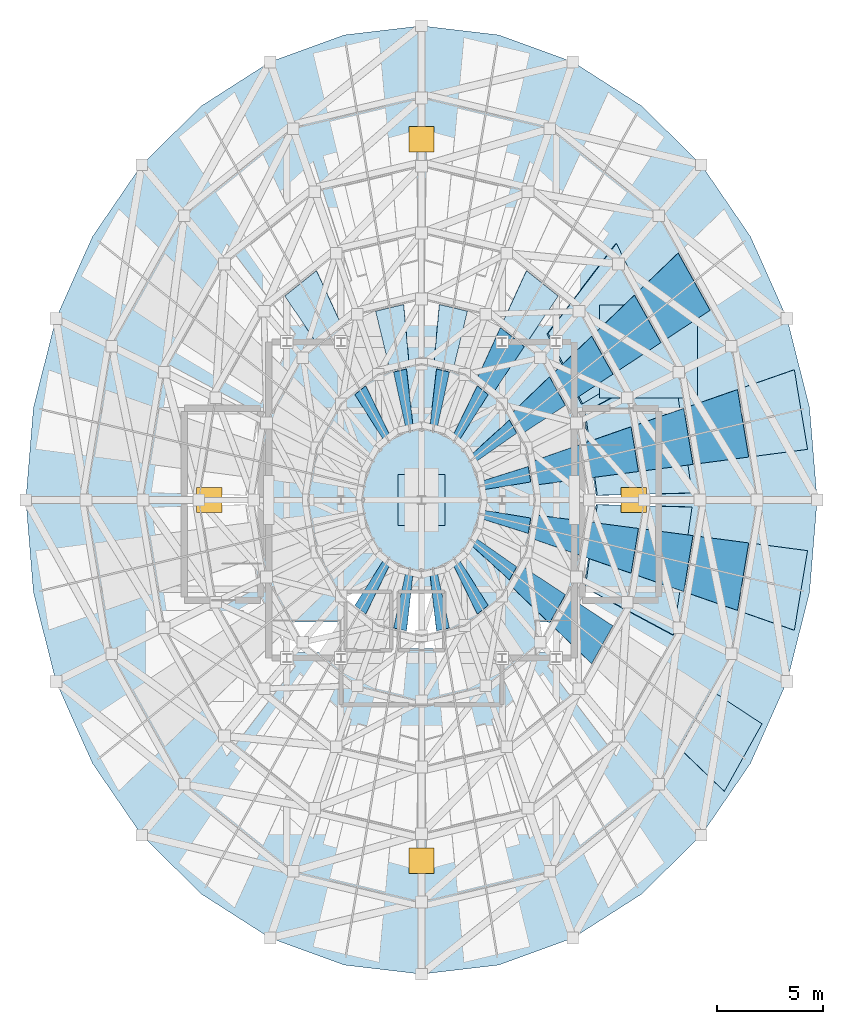
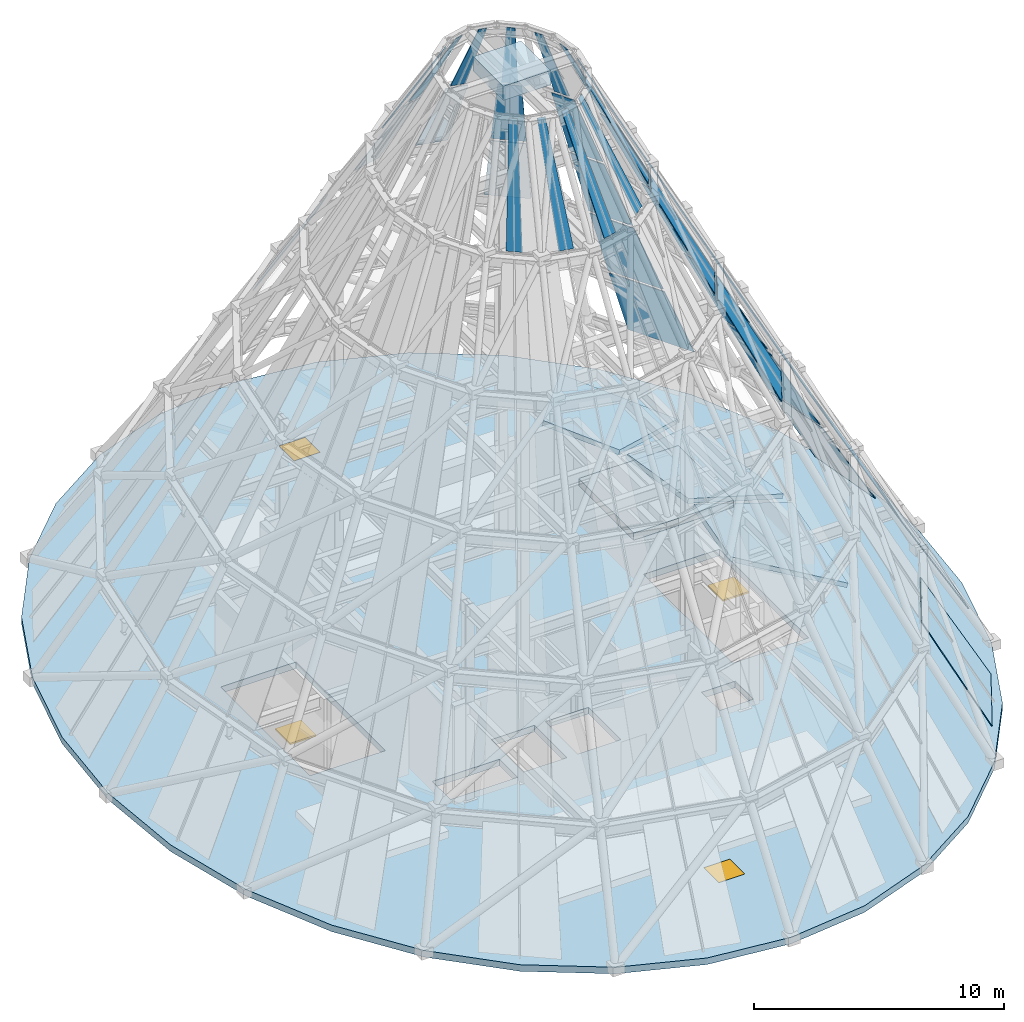
# One storey, part 12 of 16: 35 plates, 5 slabs, 4 windows, 4 openings, 6 elements without a shape of their own.
"""IFC4 building model written with IfcOpenShell, lengths in metres."""

from ifc_helpers import new_model, si_unit, direction, frame, origin, origin_2d, place, context, subcontext, project, spatial, polyline, rectangle, outline, extrude, material, layer, layer_set, type_object, element, fill, aggregate, save


model = new_model("IFC4")

# Units and contexts
model_context = context("Model", 3, precision=1e-05, world=origin(), true_north=direction((0.0, 1.0)))
body_context = subcontext(model_context, "Body", "Model", "MODEL_VIEW")
ifc_project = project(units=[si_unit("LENGTHUNIT", "METRE"), si_unit("AREAUNIT", "SQUARE_METRE"), si_unit("VOLUMEUNIT", "CUBIC_METRE"), si_unit("PLANEANGLEUNIT", "RADIAN"), si_unit("MASSUNIT", "GRAM", prefix="KILO")], contexts=[model_context])

# Site, building, storey
site_placement = place(None, origin())
site = spatial("IfcSite", under=ifc_project, at=site_placement, CompositionType="ELEMENT")
building_placement = place(site_placement, origin())
building = spatial("IfcBuilding", under=site, at=building_placement, Name="Veldorina Hangang Commons", CompositionType="ELEMENT")
storey_placement = place(building_placement, frame((0.0, 0.0, 308.39990234375)))
storey = spatial("IfcBuildingStorey", under=building, at=storey_placement, Name="Crown", CompositionType="ELEMENT", Elevation=308.39990234375)

# Curtain wall, plates
ifc_material_1 = material(Name="Glass Low-Iron Laminated", Category="glass")
ifc_layer_1 = layer(ifc_material_1, 0.179931640625)
ifc_layer_set_1 = layer_set([ifc_layer_1], Name="Glass Low-Iron Laminated")
curtain_wall_type = type_object("IfcCurtainWallType", Name="CW-SYS-CRN", PredefinedType="NOTDEFINED", material=ifc_layer_set_1)
curtain_wall_1_placement = place(storey_placement, origin())
curtain_wall_1 = element("IfcCurtainWall", 1, at=curtain_wall_1_placement, inside=storey, type_object=curtain_wall_type, Name="Crown glass-point sloped pyramidal curtain wall tier 1", PredefinedType="NOTDEFINED")
ifc_layer_2 = layer(ifc_material_1, 0.035888671875)
ifc_layer_set_2 = layer_set([ifc_layer_2], Name="Glass Low-Iron Laminated")
plate_type_1 = type_object("IfcPlateType", Name="CW-PNL-CRN", PredefinedType="CURTAIN_PANEL", material=ifc_layer_set_2)
plate_1_placement = place(storey_placement, frame((50.197021484375, 26.3876953125, 0.09619140625), z_axis=(0.852111766487, 0.141445228099, 0.503883701723), x_axis=(-0.16375582148, 0.986500902639, 4.79698e-06)))
plate_1 = element("IfcPlate", 2, at=plate_1_placement, type_object=plate_type_1, Name="CW-CRN-T1 sloped laminated glass facet 1", PredefinedType="CURTAIN_PANEL", context=body_context, shape_type="SweptSolid", body=[
    extrude(outline(polyline([(0.0, 0.0), (3.802978515625, 0.0), (3.33740234375, 5.334716796875), (0.09130859375, 5.334716796875), (0.0, 0.0)])), origin(), (0.0, 0.0, -1.0), 0.035888671875),
])
plate_2_placement = place(storey_placement, frame((46.27587890625, 10.268310546875, 0.09619140625), z_axis=(0.745891079504, -0.415883856679, 0.52027599913), x_axis=(0.486984811339, 0.873410438182, -6.24931e-07)))
plate_2 = element("IfcPlate", 3, at=plate_2_placement, type_object=plate_type_1, Name="CW-CRN-T1 sloped laminated glass facet 15", PredefinedType="CURTAIN_PANEL", context=body_context, shape_type="SweptSolid", body=[
    extrude(outline(polyline([(0.0, 0.0), (3.6416015625, 0.0), (3.8466796875, 5.395751953125), (0.739013671875, 5.395751953125), (0.0, 0.0)])), origin(), (0.0, 0.0, -1.0), 0.035888671875),
])
plate_3_placement = place(storey_placement, frame((49.57421875, 17.860595703125, 0.09619140625), z_axis=(0.852111766487, -0.141445228099, 0.503883701723), x_axis=(0.16375582148, 0.986500902639, -4.79698e-06)))
plate_3 = element("IfcPlate", 4, at=plate_3_placement, type_object=plate_type_1, Name="CW-CRN-T1 sloped laminated glass facet 16", PredefinedType="CURTAIN_PANEL", context=body_context, shape_type="SweptSolid", body=[
    extrude(outline(polyline([(0.0, 0.0), (3.802978515625, 0.0), (3.711669921875, 5.334716796875), (0.4658203125, 5.334716796875), (0.0, 0.0)])), origin(), (0.0, 0.0, -1.0), 0.035888671875),
])
aggregate(curtain_wall_1, [plate_1, plate_2, plate_3])

curtain_wall_2_placement = place(storey_placement, origin())
curtain_wall_2 = element("IfcCurtainWall", 5, at=curtain_wall_2_placement, inside=storey, type_object=curtain_wall_type, Name="Crown glass-point sloped pyramidal curtain wall tier 2", PredefinedType="NOTDEFINED")
plate_4_placement = place(storey_placement, frame((47.422119140625, 26.0234375, 4.89599609375), z_axis=(0.86387201176, 0.143376751116, 0.482874988519), x_axis=(-0.163737175762, 0.986503997512, 1.2892155e-05)))
plate_4 = element("IfcPlate", 6, at=plate_4_placement, type_object=plate_type_1, Name="CW-CRN-T2 sloped laminated glass facet 1", PredefinedType="CURTAIN_PANEL", context=body_context, shape_type="SweptSolid", body=[
    extrude(outline(polyline([(0.0, 0.0), (3.22314453125, 0.0), (2.782958984375, 5.26220703125), (0.08642578125, 5.262451171875), (0.0, 0.0)])), origin(), (0.0, 0.0, -1.0), 0.035888671875),
])
plate_5_placement = place(storey_placement, frame((45.60205078125, 32.942138671875, 4.89599609375), z_axis=(0.756870414243, 0.422013951937, 0.499050498862), x_axis=(-0.486988648974, 0.873408298409, -6.386499e-06)))
plate_5 = element("IfcPlate", 7, at=plate_5_placement, type_object=plate_type_1, Name="CW-CRN-T2 sloped laminated glass facet 2", PredefinedType="CURTAIN_PANEL", context=body_context, shape_type="SweptSolid", body=[
    extrude(outline(polyline([(0.0, 0.0), (3.086181640625, 0.0), (2.387939453125, 5.317626953125), (-0.19384765625, 5.317626953125), (0.0, 0.0)])), origin(), (0.0, 0.0, -1.0), 0.035888671875),
])
plate_6_placement = place(storey_placement, frame((46.894287109375, 18.796875, 4.89599609375), z_axis=(0.86387201176, -0.143376751116, 0.482874988519), x_axis=(0.163737175762, 0.986503997512, -1.2892155e-05)))
plate_6 = element("IfcPlate", 8, at=plate_6_placement, type_object=plate_type_1, Name="CW-CRN-T2 sloped laminated glass facet 16", PredefinedType="CURTAIN_PANEL", context=body_context, shape_type="SweptSolid", body=[
    extrude(outline(polyline([(0.0, 0.0), (3.22314453125, 0.0), (3.13671875, 5.262451171875), (0.440185546875, 5.26220703125), (0.0, 0.0)])), origin(), (0.0, 0.0, -1.0), 0.035888671875),
])
aggregate(curtain_wall_2, [plate_4, plate_5, plate_6])

curtain_wall_3_placement = place(storey_placement, origin())
curtain_wall_3 = element("IfcCurtainWall", 9, at=curtain_wall_3_placement, inside=storey, type_object=curtain_wall_type, Name="Crown glass-point sloped pyramidal curtain wall tier 3", PredefinedType="NOTDEFINED")
plate_7_placement = place(storey_placement, frame((44.797119140625, 25.67919921875, 9.696044921875), z_axis=(0.868037690478, 0.144102524068, 0.47512633106), x_axis=(-0.163766902225, 0.986499063218, -2.444437e-06)))
plate_7 = element("IfcPlate", 10, at=plate_7_placement, type_object=plate_type_1, Name="CW-CRN-T3 sloped laminated glass facet 1", PredefinedType="CURTAIN_PANEL", context=body_context, shape_type="SweptSolid", body=[
    extrude(outline(polyline([(0.0, 0.0), (2.674560546875, 0.0), (2.2431640625, 5.237060546875), (0.084716796875, 5.237060546875), (0.0, 0.0)])), origin(), (0.0, 0.0, -1.0), 0.035888671875),
])
plate_8_placement = place(storey_placement, frame((43.286865234375, 31.420166015625, 9.696044921875), z_axis=(0.760788027397, 0.424161036474, 0.491211759333), x_axis=(-0.486957862604, 0.873425463357, -2.724088e-06)))
plate_8 = element("IfcPlate", 11, at=plate_8_placement, type_object=plate_type_1, Name="CW-CRN-T3 sloped laminated glass facet 2", PredefinedType="CURTAIN_PANEL", context=body_context, shape_type="SweptSolid", body=[
    extrude(outline(polyline([(0.0, 0.0), (2.56103515625, 0.0), (1.876953125, 5.29052734375), (-0.18994140625, 5.290283203125), (0.0, 0.0)])), origin(), (0.0, 0.0, -1.0), 0.035888671875),
])
plate_9_placement = place(storey_placement, frame((44.359130859375, 19.682373046875, 9.696044921875), z_axis=(0.868037690478, -0.144102524068, 0.47512633106), x_axis=(0.163766902225, 0.986499063218, 2.444437e-06)))
plate_9 = element("IfcPlate", 12, at=plate_9_placement, type_object=plate_type_1, Name="CW-CRN-T3 sloped laminated glass facet 16", PredefinedType="CURTAIN_PANEL", context=body_context, shape_type="SweptSolid", body=[
    extrude(outline(polyline([(0.0, 0.0), (2.674560546875, 0.0), (2.58984375, 5.237060546875), (0.431396484375, 5.237060546875), (0.0, 0.0)])), origin(), (0.0, 0.0, -1.0), 0.035888671875),
])
aggregate(curtain_wall_3, [plate_7, plate_8, plate_9])

curtain_wall_4_placement = place(storey_placement, origin())
curtain_wall_4 = element("IfcCurtainWall", 13, at=curtain_wall_4_placement, inside=storey, type_object=curtain_wall_type, Name="Crown glass-point sloped pyramidal curtain wall tier 4", PredefinedType="NOTDEFINED")
plate_10_placement = place(storey_placement, frame((42.226318359375, 25.341796875, 14.49609375), z_axis=(0.870666217014, 0.144481611328, 0.470175927222), x_axis=(-0.163702835004, 0.986509696756, -4.216528e-06)))
plate_10 = element("IfcPlate", 14, at=plate_10_placement, type_object=plate_type_1, Name="CW-CRN-T4 sloped laminated glass facet 1", PredefinedType="CURTAIN_PANEL", context=body_context, shape_type="SweptSolid", body=[
    extrude(outline(polyline([(0.0, 0.0), (2.13720703125, 0.0), (1.7119140625, 5.220947265625), (0.08349609375, 5.220947265625), (0.0, 0.0)])), origin(), (0.0, 0.0, -1.0), 0.035888671875),
])
plate_11_placement = place(storey_placement, frame((41.01953125, 29.929443359375, 14.49609375), z_axis=(0.763246630185, 0.42552478793, 0.486192591849), x_axis=(-0.486949727148, 0.873429999017, -6.945371e-06)))
plate_11 = element("IfcPlate", 15, at=plate_11_placement, type_object=plate_type_1, Name="CW-CRN-T4 sloped laminated glass facet 2", PredefinedType="CURTAIN_PANEL", context=body_context, shape_type="SweptSolid", body=[
    extrude(outline(polyline([(0.0, 0.0), (2.046630859375, 0.0), (1.371826171875, 5.273193359375), (-0.1875, 5.273193359375), (0.0, 0.0)])), origin(), (0.0, 0.0, -1.0), 0.035888671875),
])
plate_12_placement = place(storey_placement, frame((38.439453125, 33.614501953125, 14.49609375), z_axis=(0.53694169916, 0.670569723838, 0.511888520262), x_axis=(-0.780586711674, 0.625047506427, -1.6367749e-05)))
plate_12 = element("IfcPlate", 16, at=plate_12_placement, type_object=plate_type_1, Name="CW-CRN-T4 sloped laminated glass facet 3", PredefinedType="CURTAIN_PANEL", context=body_context, shape_type="SweptSolid", body=[
    extrude(outline(polyline([(0.0, 0.0), (1.91064453125, 0.0), (1.2216796875, 5.364013671875), (-0.234130859375, 5.364013671875), (0.0, 0.0)])), origin(), (0.0, 0.0, -1.0), 0.035888671875),
])
plate_13_placement = place(storey_placement, frame((27.052001953125, 34.808837890625, 14.49609375), z_axis=(-0.53694169916, 0.670569723838, 0.511888520262), x_axis=(-0.780586711674, -0.625047506427, 1.6367749e-05)))
plate_13 = element("IfcPlate", 17, at=plate_13_placement, type_object=plate_type_1, Name="CW-CRN-T4 sloped laminated glass facet 6", PredefinedType="CURTAIN_PANEL", context=body_context, shape_type="SweptSolid", body=[
    extrude(outline(polyline([(0.0, 0.0), (1.91064453125, 0.0), (2.144775390625, 5.364013671875), (0.68896484375, 5.364013671875), (0.0, 0.0)])), origin(), (0.0, 0.0, -1.0), 0.035888671875),
])
plate_14_placement = place(storey_placement, frame((40.02294921875, 16.282958984375, 14.49609375), z_axis=(0.763246630185, -0.42552478793, 0.486192591849), x_axis=(0.486949727148, 0.873429999017, 6.945371e-06)))
plate_14 = element("IfcPlate", 18, at=plate_14_placement, type_object=plate_type_1, Name="CW-CRN-T4 sloped laminated glass facet 15", PredefinedType="CURTAIN_PANEL", context=body_context, shape_type="SweptSolid", body=[
    extrude(outline(polyline([(0.0, 0.0), (2.046630859375, 0.0), (2.234130859375, 5.273193359375), (0.6748046875, 5.273193359375), (0.0, 0.0)])), origin(), (0.0, 0.0, -1.0), 0.035888671875),
])
plate_15_placement = place(storey_placement, frame((41.87646484375, 20.5498046875, 14.49609375), z_axis=(0.870666217014, -0.144481611328, 0.470175927222), x_axis=(0.163702835004, 0.986509696756, 4.216528e-06)))
plate_15 = element("IfcPlate", 19, at=plate_15_placement, type_object=plate_type_1, Name="CW-CRN-T4 sloped laminated glass facet 16", PredefinedType="CURTAIN_PANEL", context=body_context, shape_type="SweptSolid", body=[
    extrude(outline(polyline([(0.0, 0.0), (2.13720703125, 0.0), (2.053955078125, 5.220947265625), (0.425537109375, 5.220947265625), (0.0, 0.0)])), origin(), (0.0, 0.0, -1.0), 0.035888671875),
])
aggregate(curtain_wall_4, [plate_10, plate_11, plate_12, plate_13, plate_14, plate_15])

curtain_wall_5_placement = place(storey_placement, origin())
curtain_wall_5 = element("IfcCurtainWall", 20, at=curtain_wall_5_placement, inside=storey, type_object=curtain_wall_type, Name="Crown glass-point sloped pyramidal curtain wall tier 5", PredefinedType="NOTDEFINED")
plate_16_placement = place(storey_placement, frame((39.690185546875, 25.009033203125, 19.296142578125), z_axis=(0.872590773665, 0.144834294396, 0.466485121822), x_axis=(-0.163745353461, 0.986502640225, 7.011677e-06)))
plate_16 = element("IfcPlate", 21, at=plate_16_placement, type_object=plate_type_1, Name="CW-CRN-T5 sloped laminated glass facet 1", PredefinedType="CURTAIN_PANEL", context=body_context, shape_type="SweptSolid", body=[
    extrude(outline(polyline([(0.0, 0.0), (1.607177734375, 0.0), (1.186279296875, 5.20947265625), (0.082763671875, 5.20947265625), (0.0, 0.0)])), origin(), (0.0, 0.0, -1.0), 0.035888671875),
])
plate_17_placement = place(storey_placement, frame((38.782470703125, 28.458984375, 19.296142578125), z_axis=(0.765045457807, 0.426563310185, 0.482440866733), x_axis=(-0.486972856271, 0.873417103511, -2.3462109e-05)))
plate_17 = element("IfcPlate", 22, at=plate_17_placement, type_object=plate_type_1, Name="CW-CRN-T5 sloped laminated glass facet 2", PredefinedType="CURTAIN_PANEL", context=body_context, shape_type="SweptSolid", body=[
    extrude(outline(polyline([(0.0, 0.0), (1.538818359375, 0.0), (0.870849609375, 5.2607421875), (-0.185791015625, 5.260498046875), (0.0, 0.0)])), origin(), (0.0, 0.0, -1.0), 0.035888671875),
])
plate_18_placement = place(storey_placement, frame((36.84228515625, 31.22998046875, 19.296142578125), z_axis=(0.538348883576, 0.672328683099, 0.508089186497), x_axis=(-0.780583256066, 0.625051821511, -2.7836813e-05)))
plate_18 = element("IfcPlate", 23, at=plate_18_placement, type_object=plate_type_1, Name="CW-CRN-T5 sloped laminated glass facet 3", PredefinedType="CURTAIN_PANEL", context=body_context, shape_type="SweptSolid", body=[
    extrude(outline(polyline([(0.0, 0.0), (1.43701171875, 0.0), (0.75439453125, 5.349853515625), (-0.23193359375, 5.349853515625), (0.0, 0.0)])), origin(), (0.0, 0.0, -1.0), 0.035888671875),
])
plate_19_placement = place(storey_placement, frame((34.1650390625, 32.900390625, 19.296142578125), z_axis=(0.196793170643, 0.825555930634, 0.528894936054), x_axis=(-0.972744533051, 0.231879437248, 6.8582e-08)))
plate_19 = element("IfcPlate", 24, at=plate_19_placement, type_object=plate_type_1, Name="CW-CRN-T5 sloped laminated glass facet 4", PredefinedType="CURTAIN_PANEL", context=body_context, shape_type="SweptSolid", body=[
    extrude(outline(polyline([(0.0, 0.0), (1.3603515625, 0.0), (0.947021484375, 5.429443359375), (0.01318359375, 5.429443359375), (0.0, 0.0)])), origin(), (0.0, 0.0, -1.0), 0.035888671875),
])
plate_20_placement = place(storey_placement, frame((31.158203125, 33.2158203125, 19.296142578125), z_axis=(-0.196793170643, 0.825555930634, 0.528894936054), x_axis=(-0.972744533051, -0.231879437248, -6.8582e-08)))
plate_20 = element("IfcPlate", 25, at=plate_20_placement, type_object=plate_type_1, Name="CW-CRN-T5 sloped laminated glass facet 5", PredefinedType="CURTAIN_PANEL", context=body_context, shape_type="SweptSolid", body=[
    extrude(outline(polyline([(0.0, 0.0), (1.3603515625, 0.0), (1.34716796875, 5.429443359375), (0.413330078125, 5.429443359375), (0.0, 0.0)])), origin(), (0.0, 0.0, -1.0), 0.035888671875),
])
plate_21_placement = place(storey_placement, frame((38.033203125, 18.197021484375, 19.296142578125), z_axis=(0.765045457807, -0.426563310185, 0.482440866733), x_axis=(0.486972856271, 0.873417103511, 2.3462109e-05)))
plate_21 = element("IfcPlate", 26, at=plate_21_placement, type_object=plate_type_1, Name="CW-CRN-T5 sloped laminated glass facet 15", PredefinedType="CURTAIN_PANEL", context=body_context, shape_type="SweptSolid", body=[
    extrude(outline(polyline([(0.0, 0.0), (1.538818359375, 0.0), (1.724365234375, 5.260498046875), (0.667724609375, 5.2607421875), (0.0, 0.0)])), origin(), (0.0, 0.0, -1.0), 0.035888671875),
])
plate_22_placement = place(storey_placement, frame((39.427001953125, 21.405517578125, 19.296142578125), z_axis=(0.872590773665, -0.144834294396, 0.466485121822), x_axis=(0.163745353461, 0.986502640225, -7.011677e-06)))
plate_22 = element("IfcPlate", 27, at=plate_22_placement, type_object=plate_type_1, Name="CW-CRN-T5 sloped laminated glass facet 16", PredefinedType="CURTAIN_PANEL", context=body_context, shape_type="SweptSolid", body=[
    extrude(outline(polyline([(0.0, 0.0), (1.607177734375, 0.0), (1.5244140625, 5.20947265625), (0.4208984375, 5.20947265625), (0.0, 0.0)])), origin(), (0.0, 0.0, -1.0), 0.035888671875),
])
aggregate(curtain_wall_5, [plate_16, plate_17, plate_18, plate_19, plate_20, plate_21, plate_22])

curtain_wall_6_placement = place(storey_placement, origin())
curtain_wall_6 = element("IfcCurtainWall", 28, at=curtain_wall_6_placement, inside=storey, type_object=curtain_wall_type, Name="Crown glass-point sloped pyramidal curtain wall tier 6", PredefinedType="NOTDEFINED")
plate_23_placement = place(storey_placement, frame((37.15087890625, 24.849365234375, 24.09619140625), z_axis=(0.874161423816, 0.144835989121, 0.463534617227), x_axis=(-0.163452072932, 0.986551275786, -9.995041e-06)))
plate_23 = element("IfcPlate", 29, at=plate_23_placement, type_object=plate_type_1, Name="CW-CRN-T6 sloped laminated glass facet 1", PredefinedType="CURTAIN_PANEL", context=body_context, shape_type="SweptSolid", body=[
    extrude(outline(polyline([(0.0, 0.0), (0.738037109375, 0.0), (0.399169921875, 5.200439453125), (0.001953125, 5.200439453125), (0.0, 0.0)])), origin(), (0.0, 0.0, -1.0), 0.035888671875),
])
plate_24_placement = place(storey_placement, frame((36.48779296875, 27.14697265625, 24.09619140625), z_axis=(0.766462935896, 0.427367122869, 0.47947044767), x_axis=(-0.486988056151, 0.873408628821, -1.6346208e-05)))
plate_24 = element("IfcPlate", 30, at=plate_24_placement, type_object=plate_type_1, Name="CW-CRN-T6 sloped laminated glass facet 2", PredefinedType="CURTAIN_PANEL", context=body_context, shape_type="SweptSolid", body=[
    extrude(outline(polyline([(0.0, 0.0), (0.70703125, 0.0), (0.120361328125, 5.250732421875), (-0.260009765625, 5.250732421875), (0.0, 0.0)])), origin(), (0.0, 0.0, -1.0), 0.035888671875),
])
plate_25_placement = place(storey_placement, frame((35.14111328125, 28.965576171875, 24.09619140625), z_axis=(0.539555301038, 0.673665622112, 0.505029411725), x_axis=(-0.780560459166, 0.625080279056, 0.000119673157)))
plate_25 = element("IfcPlate", 31, at=plate_25_placement, type_object=plate_type_1, Name="CW-CRN-T6 sloped laminated glass facet 3", PredefinedType="CURTAIN_PANEL", context=body_context, shape_type="SweptSolid", body=[
    extrude(outline(polyline([(0.0, 0.0), (0.659912109375, 0.0), (0.0546875, 5.3388671875), (-0.300537109375, 5.3388671875), (0.0, 0.0)])), origin(), (0.0, 0.0, -1.0), 0.035888671875),
])
plate_26_placement = place(storey_placement, frame((33.31640625, 30.028076171875, 24.09619140625), z_axis=(0.197131521351, 0.827433622511, 0.525825792091), x_axis=(-0.972773256481, 0.231758908077, -1.599161e-06)))
plate_26 = element("IfcPlate", 32, at=plate_26_placement, type_object=plate_type_1, Name="CW-CRN-T6 sloped laminated glass facet 4", PredefinedType="CURTAIN_PANEL", context=body_context, shape_type="SweptSolid", body=[
    extrude(outline(polyline([(0.0, 0.0), (0.624755859375, 0.0), (0.2822265625, 5.417236328125), (-0.0537109375, 5.417236328125), (0.0, 0.0)])), origin(), (0.0, 0.0, -1.0), 0.035888671875),
])
plate_27_placement = place(storey_placement, frame((31.291259765625, 30.1728515625, 24.09619140625), z_axis=(-0.197131521351, 0.827433622511, 0.525825792091), x_axis=(-0.972773256481, -0.231758908077, 1.599161e-06)))
plate_27 = element("IfcPlate", 33, at=plate_27_placement, type_object=plate_type_1, Name="CW-CRN-T6 sloped laminated glass facet 5", PredefinedType="CURTAIN_PANEL", context=body_context, shape_type="SweptSolid", body=[
    extrude(outline(polyline([(0.0, 0.0), (0.624755859375, 0.0), (0.678466796875, 5.417236328125), (0.34228515625, 5.417236328125), (0.0, 0.0)])), origin(), (0.0, 0.0, -1.0), 0.035888671875),
])
plate_28_placement = place(storey_placement, frame((29.3740234375, 29.3779296875, 24.09619140625), z_axis=(-0.539555301038, 0.673665622112, 0.505029411725), x_axis=(-0.780560459166, -0.625080279056, -0.000119673157)))
plate_28 = element("IfcPlate", 34, at=plate_28_placement, type_object=plate_type_1, Name="CW-CRN-T6 sloped laminated glass facet 6", PredefinedType="CURTAIN_PANEL", context=body_context, shape_type="SweptSolid", body=[
    extrude(outline(polyline([(0.0, 0.0), (0.659912109375, 0.0), (0.96044921875, 5.3388671875), (0.605224609375, 5.3388671875), (0.0, 0.0)])), origin(), (0.0, 0.0, -1.0), 0.035888671875),
])
plate_29_placement = place(storey_placement, frame((28.85888671875, 19.034423828125, 24.09619140625), z_axis=(-0.539555301038, -0.673665622112, 0.505029411725), x_axis=(0.780560459166, -0.625080279056, 0.000119673157)))
plate_29 = element("IfcPlate", 35, at=plate_29_placement, type_object=plate_type_1, Name="CW-CRN-T6 sloped laminated glass facet 11", PredefinedType="CURTAIN_PANEL", context=body_context, shape_type="SweptSolid", body=[
    extrude(outline(polyline([(0.0, 0.0), (0.659912109375, 0.0), (0.0546875, 5.3388671875), (-0.300537109375, 5.3388671875), (0.0, 0.0)])), origin(), (0.0, 0.0, -1.0), 0.035888671875),
])
plate_30_placement = place(storey_placement, frame((30.68359375, 17.971923828125, 24.09619140625), z_axis=(-0.197131521351, -0.827433622511, 0.525825792091), x_axis=(0.972773256481, -0.231758908077, -1.599161e-06)))
plate_30 = element("IfcPlate", 36, at=plate_30_placement, type_object=plate_type_1, Name="CW-CRN-T6 sloped laminated glass facet 12", PredefinedType="CURTAIN_PANEL", context=body_context, shape_type="SweptSolid", body=[
    extrude(outline(polyline([(0.0, 0.0), (0.624755859375, 0.0), (0.2822265625, 5.417236328125), (-0.0537109375, 5.417236328125), (0.0, 0.0)])), origin(), (0.0, 0.0, -1.0), 0.035888671875),
])
plate_31_placement = place(storey_placement, frame((32.708740234375, 17.8271484375, 24.09619140625), z_axis=(0.197131521351, -0.827433622511, 0.525825792091), x_axis=(0.972773256481, 0.231758908077, 1.599161e-06)))
plate_31 = element("IfcPlate", 37, at=plate_31_placement, type_object=plate_type_1, Name="CW-CRN-T6 sloped laminated glass facet 13", PredefinedType="CURTAIN_PANEL", context=body_context, shape_type="SweptSolid", body=[
    extrude(outline(polyline([(0.0, 0.0), (0.624755859375, 0.0), (0.678466796875, 5.417236328125), (0.34228515625, 5.417236328125), (0.0, 0.0)])), origin(), (0.0, 0.0, -1.0), 0.035888671875),
])
plate_32_placement = place(storey_placement, frame((34.6259765625, 18.6220703125, 24.09619140625), z_axis=(0.539555301038, -0.673665622112, 0.505029411725), x_axis=(0.780560459166, 0.625080279056, -0.000119673157)))
plate_32 = element("IfcPlate", 38, at=plate_32_placement, type_object=plate_type_1, Name="CW-CRN-T6 sloped laminated glass facet 14", PredefinedType="CURTAIN_PANEL", context=body_context, shape_type="SweptSolid", body=[
    extrude(outline(polyline([(0.0, 0.0), (0.659912109375, 0.0), (0.96044921875, 5.3388671875), (0.605224609375, 5.3388671875), (0.0, 0.0)])), origin(), (0.0, 0.0, -1.0), 0.035888671875),
])
plate_33_placement = place(storey_placement, frame((36.1435546875, 20.235595703125, 24.09619140625), z_axis=(0.766462935896, -0.427367122869, 0.47947044767), x_axis=(0.486988056151, 0.873408628821, 1.6346208e-05)))
plate_33 = element("IfcPlate", 39, at=plate_33_placement, type_object=plate_type_1, Name="CW-CRN-T6 sloped laminated glass facet 15", PredefinedType="CURTAIN_PANEL", context=body_context, shape_type="SweptSolid", body=[
    extrude(outline(polyline([(0.0, 0.0), (0.70703125, 0.0), (0.967041015625, 5.250732421875), (0.58642578125, 5.250732421875), (0.0, 0.0)])), origin(), (0.0, 0.0, -1.0), 0.035888671875),
])
plate_34_placement = place(storey_placement, frame((37.0302734375, 22.422607421875, 24.09619140625), z_axis=(0.874161423816, -0.144835989121, 0.463534617227), x_axis=(0.163452072932, 0.986551275786, 9.995041e-06)))
plate_34 = element("IfcPlate", 40, at=plate_34_placement, type_object=plate_type_1, Name="CW-CRN-T6 sloped laminated glass facet 16", PredefinedType="CURTAIN_PANEL", context=body_context, shape_type="SweptSolid", body=[
    extrude(outline(polyline([(0.0, 0.0), (0.738037109375, 0.0), (0.736083984375, 5.200439453125), (0.3388671875, 5.200439453125), (0.0, 0.0)])), origin(), (0.0, 0.0, -1.0), 0.035888671875),
])
aggregate(curtain_wall_6, [plate_23, plate_24, plate_25, plate_26, plate_27, plate_28, plate_29, plate_30, plate_31, plate_32, plate_33, plate_34])

# Plate
ifc_material_2 = material(Name="Steel SM490-TMC", Category="steel")
ifc_layer_3 = layer(ifc_material_2, 0.044921875)
ifc_layer_set_3 = layer_set([ifc_layer_3], Name="Steel SM490-TMC")
plate_type_2 = type_object("IfcPlateType", Name="PL-NODE-45", PredefinedType="SHEET", material=ifc_layer_set_3)
plate_35_placement = place(storey_placement, frame((32.0, 24.0, 28.4501953125), z_axis=(0.0, 0.0, 1.0), x_axis=(1.0, 0.0, 0.0)))
element("IfcPlate", 41, at=plate_35_placement, inside=storey, type_object=plate_type_2, Name="Crown glass-point apex node hub", PredefinedType="SHEET", context=body_context, shape_type="SweptSolid", body=[
    extrude(rectangle(XDim=2.199951171875, YDim=2.39990234375, at=origin_2d()), origin(), (0.0, 0.0, 1.0), 0.699951171875),
])

# Slabs
ifc_material_3 = material(Name="Concrete C45/55", Category="concrete")
ifc_layer_4 = layer(ifc_material_3, 0.219970703125)
ifc_layer_set_4 = layer_set([ifc_layer_4], Name="Concrete C45/55")
slab_type_1 = type_object("IfcSlabType", Name="RF-CRN-SLOPE", PredefinedType="ROOF", material=ifc_layer_set_4)
slab_1_placement = place(storey_placement, frame((44.751220703125, 24.334716796875, 3.4501953125), z_axis=(0.297982079233, 0.043341118899, 0.953587032142), x_axis=(-0.143939984854, 0.989586419044, 1.838661e-06)))
element("IfcSlab", 42, at=slab_1_placement, inside=storey, type_object=slab_type_1, Name="Crown sloped BMU weather roof facet 01", PredefinedType="ROOF", context=body_context, shape_type="SweptSolid", body=[
    extrude(outline(polyline([(0.0, 0.0), (6.0908203125, 0.0), (4.485595703125, 4.64892578125), (0.5263671875, 4.649169921875), (0.0, 0.0)])), origin(), (0.0, 0.0, -1.0), 0.219970703125),
])
slab_2_placement = place(storey_placement, frame((43.68701171875, 30.98095703125, 3.4501953125), z_axis=(0.254089687343, 0.124178949216, 0.959175697856), x_axis=(-0.439106177953, 0.89843517543, 5.854446e-06)))
element("IfcSlab", 43, at=slab_2_placement, inside=storey, type_object=slab_type_1, Name="Crown sloped BMU weather roof facet 02", PredefinedType="ROOF", context=body_context, shape_type="SweptSolid", body=[
    extrude(outline(polyline([(0.0, 0.0), (5.687255859375, 0.0), (3.297607421875, 4.949951171875), (-0.39892578125, 4.9501953125), (0.0, 0.0)])), origin(), (0.0, 0.0, -1.0), 0.219970703125),
])
slab_3_placement = place(storey_placement, frame((43.87451171875, 17.637939453125, 3.4501953125), z_axis=(0.297982079233, -0.043341118899, 0.953587032142), x_axis=(0.143939984854, 0.989586419044, -1.838661e-06)))
element("IfcSlab", 44, at=slab_3_placement, inside=storey, type_object=slab_type_1, Name="Crown sloped BMU weather roof facet 16", PredefinedType="ROOF", context=body_context, shape_type="SweptSolid", body=[
    extrude(outline(polyline([(0.0, 0.0), (6.0908203125, 0.0), (5.564453125, 4.649169921875), (1.605224609375, 4.64892578125), (0.0, 0.0)])), origin(), (0.0, 0.0, -1.0), 0.219970703125),
])
ifc_material_4 = material(Name="Concrete C40/50", Category="concrete")
ifc_layer_5 = layer(ifc_material_4, 0.35009765625)
ifc_layer_set_5 = layer_set([ifc_layer_5], Name="Concrete C40/50")
slab_type_2 = type_object("IfcSlabType", Name="SL-BASE-350", PredefinedType="BASESLAB", material=ifc_layer_set_5)
slab_4_placement = place(storey_placement, origin())
element("IfcSlab", 45, at=slab_4_placement, inside=storey, type_object=slab_type_2, Name="Crown mechanical plant concrete plinth 4", PredefinedType="BASESLAB", context=body_context, shape_type="SweptSolid", body=[
    extrude(outline(polyline([(40.39990234375, 28.800048828125), (45.0, 28.800048828125), (45.0, 33.199951171875), (40.39990234375, 33.199951171875), (40.39990234375, 28.800048828125)])), origin(), (0.0, 0.0, 1.0), 0.35009765625),
])

# Slab, openings, windows
ifc_layer_6 = layer(ifc_material_3, 0.320068359375)
ifc_layer_set_6 = layer_set([ifc_layer_6], Name="Concrete C45/55")
slab_type_3 = type_object("IfcSlabType", Name="SL-FLR-320", PredefinedType="FLOOR", material=ifc_layer_set_6)
slab_5_placement = place(storey_placement, frame((0.0, 0.0, -0.31982421875)))
slab_5 = element("IfcSlab", 46, at=slab_5_placement, inside=storey, type_object=slab_type_3, Name="Crown tower structural floor slab", PredefinedType="FLOOR", context=body_context, shape_type="SweptSolid", body=[
    extrude(outline(polyline([(50.64990234375, 24.0), (50.29150390625, 28.3603515625), (49.23046875, 32.552978515625), (47.5068359375, 36.4169921875), (45.1875, 39.8037109375), (42.361328125, 42.583251953125), (39.136962890625, 44.648681640625), (35.638427734375, 45.920654296875), (32.0, 46.35009765625), (28.361572265625, 45.920654296875), (24.863037109375, 44.648681640625), (21.638671875, 42.583251953125), (18.8125, 39.8037109375), (16.4931640625, 36.4169921875), (14.76953125, 32.552978515625), (13.70849609375, 28.3603515625), (13.35009765625, 24.0), (13.70849609375, 19.6396484375), (14.76953125, 15.447021484375), (16.4931640625, 11.5830078125), (18.8125, 8.1962890625), (21.638671875, 5.416748046875), (24.863037109375, 3.351318359375), (28.361572265625, 2.079345703125), (32.0, 1.64990234375), (35.638427734375, 2.079345703125), (39.136962890625, 3.351318359375), (42.361328125, 5.416748046875), (45.1875, 8.1962890625), (47.5068359375, 11.5830078125), (49.23046875, 15.447021484375), (50.29150390625, 19.6396484375), (50.64990234375, 24.0)]), holes=[polyline([(20.949951171875, 21.05810546875), (20.949951171875, 28.199951171875), (24.449951171875, 28.199951171875), (24.449951171875, 21.05810546875), (20.949951171875, 21.05810546875)]), polyline([(43.050048828125, 26.5419921875), (43.050048828125, 19.39990234375), (39.550048828125, 19.39990234375), (39.550048828125, 26.5419921875), (43.050048828125, 26.5419921875)]), polyline([(28.5, 19.60009765625), (30.5, 19.60009765625), (30.5, 17.0), (28.5, 17.0), (28.5, 19.60009765625)]), polyline([(31.0, 19.60009765625), (33.0, 19.60009765625), (33.0, 17.0), (31.0, 17.0), (31.0, 19.60009765625)]), polyline([(25.0, 18.25), (28.10009765625, 18.25), (28.10009765625, 16.800048828125), (25.0, 16.800048828125), (25.0, 18.25)]), polyline([(37.449951171875, 18.25), (39.0, 18.25), (39.0, 16.800048828125), (37.449951171875, 16.800048828125), (37.449951171875, 18.25)])]), origin(), (0.0, 0.0, 1.0), 0.31982421875),
])
opening_1_placement = place(slab_5_placement, frame((22.0, 24.0, 0.0)))
opening_1 = element("IfcOpeningElement", 47, at=opening_1_placement, cuts=slab_5, Name="Opening WSK-12", PredefinedType="OPENING", context=body_context, shape_type="SweptSolid", body=[
    extrude(rectangle(XDim=1.199951171875, YDim=1.199951171875, at=origin_2d()), frame((0.0, 0.0, -0.010009765625)), (0.0, 0.0, 1.0), 0.33984375),
])
opening_2_placement = place(slab_5_placement, frame((42.0, 24.0, 0.0)))
opening_2 = element("IfcOpeningElement", 48, at=opening_2_placement, cuts=slab_5, Name="Opening WSK-12", PredefinedType="OPENING", context=body_context, shape_type="SweptSolid", body=[
    extrude(rectangle(XDim=1.199951171875, YDim=1.199951171875, at=origin_2d()), frame((0.0, 0.0, -0.010009765625)), (0.0, 0.0, 1.0), 0.33984375),
])
opening_3_placement = place(slab_5_placement, frame((32.0, 7.0, 0.0)))
opening_3 = element("IfcOpeningElement", 49, at=opening_3_placement, cuts=slab_5, Name="Opening WSK-12", PredefinedType="OPENING", context=body_context, shape_type="SweptSolid", body=[
    extrude(rectangle(XDim=1.199951171875, YDim=1.199951171875, at=origin_2d()), frame((0.0, 0.0, -0.010009765625)), (0.0, 0.0, 1.0), 0.33984375),
])
opening_4_placement = place(slab_5_placement, frame((32.0, 41.0, 0.0)))
opening_4 = element("IfcOpeningElement", 50, at=opening_4_placement, cuts=slab_5, Name="Opening WSK-12", PredefinedType="OPENING", context=body_context, shape_type="SweptSolid", body=[
    extrude(rectangle(XDim=1.199951171875, YDim=1.199951171875, at=origin_2d()), frame((0.0, 0.0, -0.010009765625)), (0.0, 0.0, 1.0), 0.33984375),
])
ifc_material_5 = material(Name="Glass Laminated Safety", Category="glass")
window_type = type_object("IfcWindowType", Name="WIN-SKY-1200", PartitioningType="SINGLE_PANEL", PredefinedType="SKYLIGHT", material=ifc_material_5)
window_1_placement = place(opening_1_placement, frame((0.0, 0.0, 0.23974609375)))
window_1 = element("IfcWindow", 51, at=window_1_placement, inside=storey, type_object=window_type, Name="Crown deck maintenance hatch 1 1200x1200", OverallHeight=1.199951171875, OverallWidth=1.199951171875, PartitioningType="SINGLE_PANEL", PredefinedType="SKYLIGHT", context=body_context, shape_type="SweptSolid", body=[
    extrude(rectangle(XDim=1.199951171875, YDim=1.199951171875, at=origin_2d()), origin(), (0.0, 0.0, 1.0), 0.080078125),
])
fill(opening_1, window_1)
window_2_placement = place(opening_2_placement, frame((0.0, 0.0, 0.23974609375)))
window_2 = element("IfcWindow", 52, at=window_2_placement, inside=storey, type_object=window_type, Name="Crown deck maintenance hatch 2 1200x1200", OverallHeight=1.199951171875, OverallWidth=1.199951171875, PartitioningType="SINGLE_PANEL", PredefinedType="SKYLIGHT", context=body_context, shape_type="SweptSolid", body=[
    extrude(rectangle(XDim=1.199951171875, YDim=1.199951171875, at=origin_2d()), origin(), (0.0, 0.0, 1.0), 0.080078125),
])
fill(opening_2, window_2)
window_3_placement = place(opening_3_placement, frame((0.0, 0.0, 0.23974609375)))
window_3 = element("IfcWindow", 53, at=window_3_placement, inside=storey, type_object=window_type, Name="Crown deck maintenance hatch 3 1200x1200", OverallHeight=1.199951171875, OverallWidth=1.199951171875, PartitioningType="SINGLE_PANEL", PredefinedType="SKYLIGHT", context=body_context, shape_type="SweptSolid", body=[
    extrude(rectangle(XDim=1.199951171875, YDim=1.199951171875, at=origin_2d()), origin(), (0.0, 0.0, 1.0), 0.080078125),
])
fill(opening_3, window_3)
window_4_placement = place(opening_4_placement, frame((0.0, 0.0, 0.23974609375)))
window_4 = element("IfcWindow", 54, at=window_4_placement, inside=storey, type_object=window_type, Name="Crown deck maintenance hatch 4 1200x1200", OverallHeight=1.199951171875, OverallWidth=1.199951171875, PartitioningType="SINGLE_PANEL", PredefinedType="SKYLIGHT", context=body_context, shape_type="SweptSolid", body=[
    extrude(rectangle(XDim=1.199951171875, YDim=1.199951171875, at=origin_2d()), origin(), (0.0, 0.0, 1.0), 0.080078125),
])
fill(opening_4, window_4)

save(model, "model.ifc")
